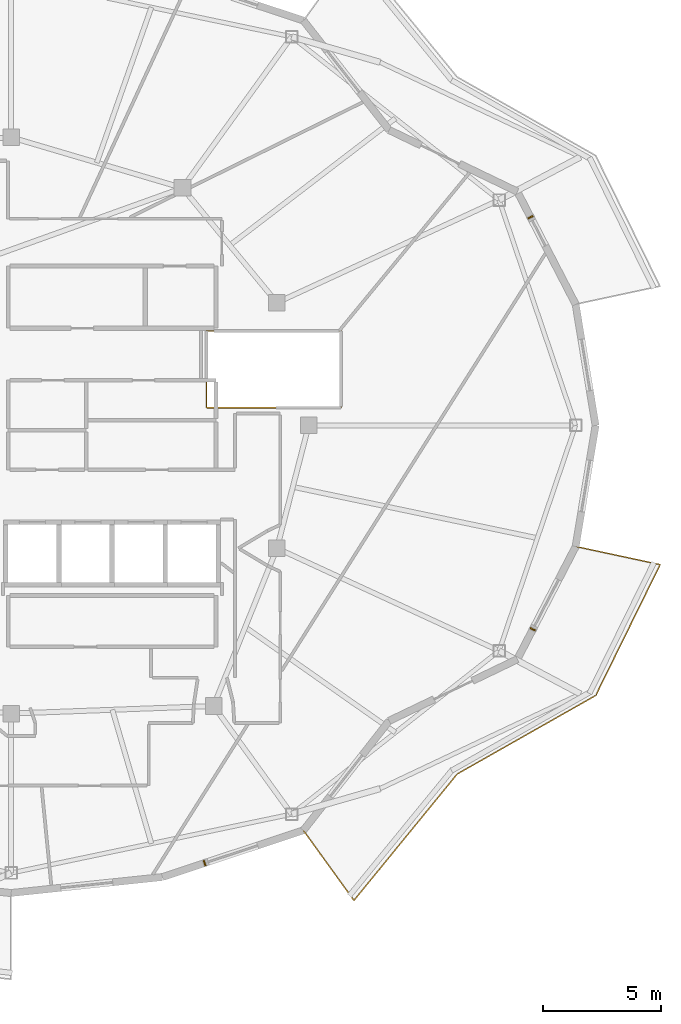
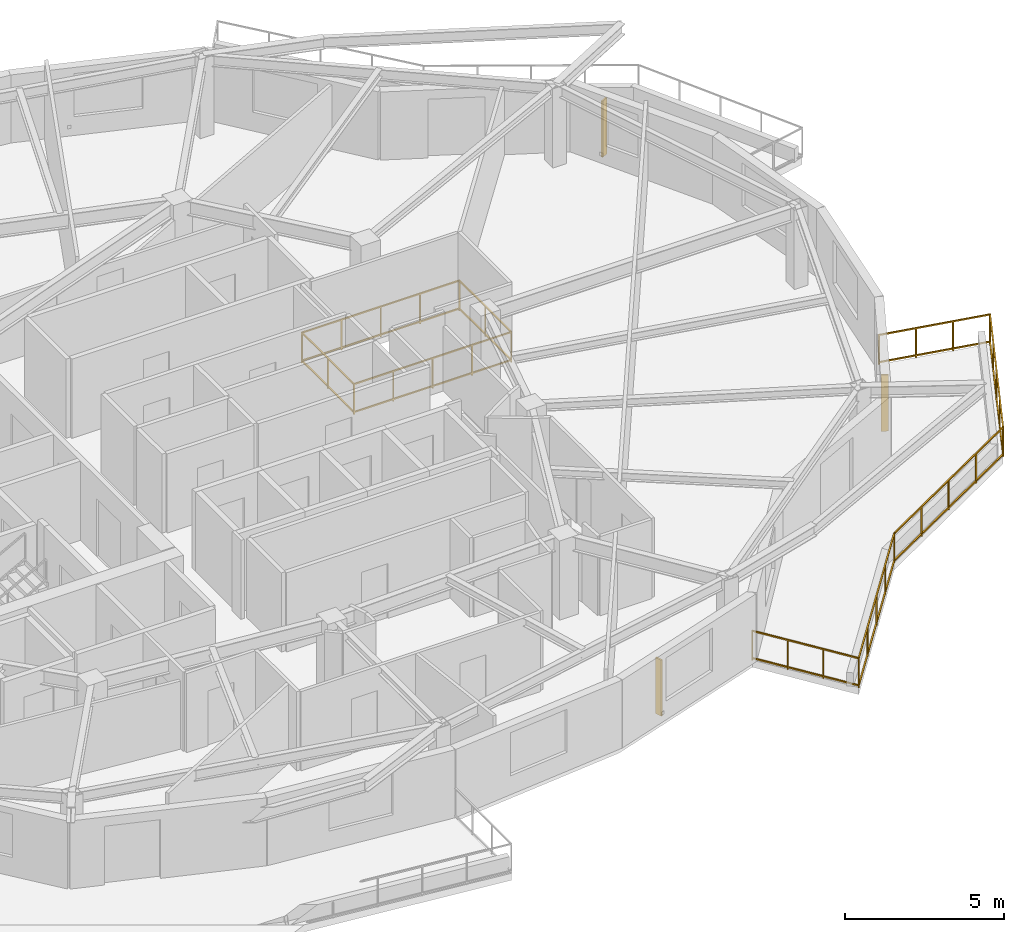
# One storey, part 9 of 10: 3 shading devices, 2 railings.
"""IFC4 building model written with IfcOpenShell, lengths in metres."""

from ifc_helpers import new_model, si_unit, direction, frame, origin, origin_2d, place, context, subcontext, project, spatial, rectangle, extrude, material, type_object, element, save


model = new_model("IFC4")

# Units and contexts
model_context = context("Model", 3, precision=1e-05, world=origin(), true_north=direction((0.0, 1.0)))
body_context = subcontext(model_context, "Body", "Model", "MODEL_VIEW")
ifc_project = project(units=[si_unit("LENGTHUNIT", "METRE"), si_unit("AREAUNIT", "SQUARE_METRE"), si_unit("VOLUMEUNIT", "CUBIC_METRE"), si_unit("PLANEANGLEUNIT", "RADIAN"), si_unit("MASSUNIT", "GRAM", prefix="KILO")], contexts=[model_context])

# Site, building, storey
site_placement = place(None, origin())
site = spatial("IfcSite", under=ifc_project, at=site_placement, CompositionType="ELEMENT")
building_placement = place(site_placement, origin())
building = spatial("IfcBuilding", under=site, at=building_placement, Name="Kolvaren Gate Tower and Convention Centre", CompositionType="ELEMENT")
storey_placement = place(building_placement, frame((0.0, 0.0, 203.0)))
storey = spatial("IfcBuildingStorey", under=building, at=storey_placement, Name="L53", CompositionType="ELEMENT", Elevation=203.0)

# Railings
ifc_material_1 = material(Name="Laminated Tempered Safety Glass Balustrade 21.5 mm", Category="glass")
railing_type_1 = type_object("IfcRailingType", Name="ARCH-RL-BALUST-1180", PredefinedType="BALUSTRADE", material=ifc_material_1)
railing_1_placement = place(storey_placement, frame((38.39990234375, 27.75, 0.0)))
element("IfcRailing", 1, at=railing_1_placement, inside=storey, type_object=railing_type_1, Name="Tower L53 Atrium Void Safety Balustrade", PredefinedType="BALUSTRADE", context=body_context, shape_type="SweptSolid", body=[
    extrude(rectangle(XDim=0.048095703125, YDim=0.048095703125, at=origin_2d()), frame((0.028076171875, 0.0, 1.15576171875), z_axis=(1.0, 0.0, 0.0), x_axis=(0.0, 1.0, 0.0)), (0.0, 0.0, 1.0), 5.64404296875),
    extrude(rectangle(XDim=0.048095703125, YDim=0.048095703125, at=origin_2d()), frame((0.028076171875, 0.0, 0.083984375), z_axis=(1.0, 0.0, 0.0), x_axis=(0.0, 1.0, 0.0)), (0.0, 0.0, 1.0), 5.64404296875),
    extrude(rectangle(XDim=0.048095703125, YDim=0.048095703125, at=origin_2d()), frame((5.7001953125, 0.028076171875, 1.15576171875), z_axis=(0.0, 1.0, 0.0), x_axis=(-1.0, 0.0, 0.0)), (0.0, 0.0, 1.0), 3.19384765625),
    extrude(rectangle(XDim=0.048095703125, YDim=0.048095703125, at=origin_2d()), frame((5.7001953125, 0.028076171875, 0.083984375), z_axis=(0.0, 1.0, 0.0), x_axis=(-1.0, 0.0, 0.0)), (0.0, 0.0, 1.0), 3.19384765625),
    extrude(rectangle(XDim=0.048095703125, YDim=0.048095703125, at=origin_2d()), frame((5.672119140625, 3.25, 1.15576171875), z_axis=(-1.0, 0.0, 0.0), x_axis=(0.0, -1.0, 0.0)), (0.0, 0.0, 1.0), 5.64404296875),
    extrude(rectangle(XDim=0.048095703125, YDim=0.048095703125, at=origin_2d()), frame((5.672119140625, 3.25, 0.083984375), z_axis=(-1.0, 0.0, 0.0), x_axis=(0.0, -1.0, 0.0)), (0.0, 0.0, 1.0), 5.64404296875),
    extrude(rectangle(XDim=0.048095703125, YDim=0.048095703125, at=origin_2d()), frame((0.0, 3.221923828125, 1.15576171875), z_axis=(0.0, -1.0, 0.0), x_axis=(1.0, 0.0, 0.0)), (0.0, 0.0, 1.0), 3.19384765625),
    extrude(rectangle(XDim=0.048095703125, YDim=0.048095703125, at=origin_2d()), frame((0.0, 3.221923828125, 0.083984375), z_axis=(0.0, -1.0, 0.0), x_axis=(1.0, 0.0, 0.0)), (0.0, 0.0, 1.0), 3.19384765625),
    extrude(rectangle(XDim=0.0419921875, YDim=0.0419921875, at=origin_2d()), origin(), (0.0, 0.0, 1.0), 1.179931640625),
    extrude(rectangle(XDim=0.0419921875, YDim=0.0419921875, at=origin_2d()), frame((5.7001953125, 0.0, 0.0)), (0.0, 0.0, 1.0), 1.179931640625),
    extrude(rectangle(XDim=0.0419921875, YDim=0.0419921875, at=origin_2d()), frame((1.425048828125, 0.0, 0.0)), (0.0, 0.0, 1.0), 1.1298828125),
    extrude(rectangle(XDim=0.0419921875, YDim=0.0419921875, at=origin_2d()), frame((2.85009765625, 0.0, 0.0)), (0.0, 0.0, 1.0), 1.1298828125),
    extrude(rectangle(XDim=0.0419921875, YDim=0.0419921875, at=origin_2d()), frame((4.275146484375, 0.0, 0.0)), (0.0, 0.0, 1.0), 1.1298828125),
    extrude(rectangle(XDim=0.0419921875, YDim=0.0419921875, at=origin_2d()), frame((5.7001953125, 3.25, 0.0)), (0.0, 0.0, 1.0), 1.179931640625),
    extrude(rectangle(XDim=0.0419921875, YDim=0.0419921875, at=origin_2d()), frame((5.7001953125, 1.625, 0.0)), (0.0, 0.0, 1.0), 1.1298828125),
    extrude(rectangle(XDim=0.0419921875, YDim=0.0419921875, at=origin_2d()), frame((0.0, 3.25, 0.0)), (0.0, 0.0, 1.0), 1.179931640625),
    extrude(rectangle(XDim=0.0419921875, YDim=0.0419921875, at=origin_2d()), frame((4.275146484375, 3.25, 0.0)), (0.0, 0.0, 1.0), 1.1298828125),
    extrude(rectangle(XDim=0.0419921875, YDim=0.0419921875, at=origin_2d()), frame((2.85009765625, 3.25, 0.0)), (0.0, 0.0, 1.0), 1.1298828125),
    extrude(rectangle(XDim=0.0419921875, YDim=0.0419921875, at=origin_2d()), frame((1.425048828125, 3.25, 0.0)), (0.0, 0.0, 1.0), 1.1298828125),
    extrude(rectangle(XDim=0.0419921875, YDim=0.0419921875, at=origin_2d()), frame((0.0, 1.625, 0.0)), (0.0, 0.0, 1.0), 1.1298828125),
])
ifc_material_2 = material(Name="Brushed Stainless Steel Grade 316L", Category="steel")
railing_type_2 = type_object("IfcRailingType", Name="ARCH-RL-GUARD-1150", PredefinedType="GUARDRAIL", material=ifc_material_2)
railing_2_placement = place(storey_placement, frame((42.5, 9.852783203125, 0.0)))
element("IfcRailing", 2, at=railing_2_placement, inside=storey, type_object=railing_type_2, Name="Tower L53 Terrace Perimeter Guardrail GR-4", PredefinedType="GUARDRAIL", context=body_context, shape_type="SweptSolid", body=[
    extrude(rectangle(XDim=0.048095703125, YDim=0.048095703125, at=origin_2d()), frame((0.016357421875, -0.022705078125, 1.1259765625), z_axis=(0.585212870465, -0.810879705161, 0.0), x_axis=(0.810879705161, 0.585212870465, 0.0)), (0.0, 0.0, 1.0), 3.603759765625),
    extrude(rectangle(XDim=0.048095703125, YDim=0.048095703125, at=origin_2d()), frame((0.016357421875, -0.022705078125, 0.083984375), z_axis=(0.585212870465, -0.810879705161, 0.0), x_axis=(0.810879705161, 0.585212870465, 0.0)), (0.0, 0.0, 1.0), 3.603759765625),
    extrude(rectangle(XDim=0.048095703125, YDim=0.048095703125, at=origin_2d()), frame((2.15966796875, -2.946044921875, 1.1259765625), z_axis=(0.632718487063, 0.77438189295, 0.0), x_axis=(-0.77438189295, 0.632718487063, 0.0)), (0.0, 0.0, 1.0), 6.858154296875),
    extrude(rectangle(XDim=0.048095703125, YDim=0.048095703125, at=origin_2d()), frame((2.15966796875, -2.946044921875, 0.083984375), z_axis=(0.632718487063, 0.77438189295, 0.0), x_axis=(-0.77438189295, 0.632718487063, 0.0)), (0.0, 0.0, 1.0), 6.858154296875),
    extrude(rectangle(XDim=0.048095703125, YDim=0.048095703125, at=origin_2d()), frame((6.541015625, 2.400390625, 1.1259765625), z_axis=(0.869876155964, 0.493270182846, 0.0), x_axis=(-0.493270182846, 0.869876155964, 0.0)), (0.0, 0.0, 1.0), 6.6865234375),
    extrude(rectangle(XDim=0.048095703125, YDim=0.048095703125, at=origin_2d()), frame((6.541015625, 2.400390625, 0.083984375), z_axis=(0.869876155964, 0.493270182846, 0.0), x_axis=(-0.493270182846, 0.869876155964, 0.0)), (0.0, 0.0, 1.0), 6.6865234375),
    extrude(rectangle(XDim=0.048095703125, YDim=0.048095703125, at=origin_2d()), frame((12.394287109375, 5.737548828125, 1.1259765625), z_axis=(0.441625304244, 0.897199582396, 0.0), x_axis=(-0.897199582396, 0.441625304244, 0.0)), (0.0, 0.0, 1.0), 6.122314453125),
    extrude(rectangle(XDim=0.048095703125, YDim=0.048095703125, at=origin_2d()), frame((12.394287109375, 5.737548828125, 0.083984375), z_axis=(0.441625304244, 0.897199582396, 0.0), x_axis=(-0.897199582396, 0.441625304244, 0.0)), (0.0, 0.0, 1.0), 6.122314453125),
    extrude(rectangle(XDim=0.048095703125, YDim=0.048095703125, at=origin_2d()), frame((15.0830078125, 11.261474609375, 1.1259765625), z_axis=(-0.977788745232, 0.209592866525, 0.0), x_axis=(-0.209592866525, -0.977788745232, 0.0)), (0.0, 0.0, 1.0), 3.603759765625),
    extrude(rectangle(XDim=0.048095703125, YDim=0.048095703125, at=origin_2d()), frame((15.0830078125, 11.261474609375, 0.083984375), z_axis=(-0.977788745232, 0.209592866525, 0.0), x_axis=(-0.209592866525, -0.977788745232, 0.0)), (0.0, 0.0, 1.0), 3.603759765625),
    extrude(rectangle(XDim=0.0419921875, YDim=0.0419921875, at=origin_2d()), origin(), (0.0, 0.0, 1.0), 1.14990234375),
    extrude(rectangle(XDim=0.0419921875, YDim=0.0419921875, at=origin_2d()), frame((2.141845703125, -2.9677734375, 0.0)), (0.0, 0.0, 1.0), 1.14990234375),
    extrude(rectangle(XDim=0.0419921875, YDim=0.0419921875, at=origin_2d()), frame((0.7138671875, -0.9892578125, 0.0)), (0.0, 0.0, 1.0), 1.099853515625),
    extrude(rectangle(XDim=0.0419921875, YDim=0.0419921875, at=origin_2d()), frame((1.427978515625, -1.978515625, 0.0)), (0.0, 0.0, 1.0), 1.099853515625),
    extrude(rectangle(XDim=0.0419921875, YDim=0.0419921875, at=origin_2d()), frame((6.5166015625, 2.386474609375, 0.0)), (0.0, 0.0, 1.0), 1.14990234375),
    extrude(rectangle(XDim=0.0419921875, YDim=0.0419921875, at=origin_2d()), frame((3.235595703125, -1.629150390625, 0.0)), (0.0, 0.0, 1.0), 1.099853515625),
    extrude(rectangle(XDim=0.0419921875, YDim=0.0419921875, at=origin_2d()), frame((4.3291015625, -0.29052734375, 0.0)), (0.0, 0.0, 1.0), 1.099853515625),
    extrude(rectangle(XDim=0.0419921875, YDim=0.0419921875, at=origin_2d()), frame((5.4228515625, 1.0478515625, 0.0)), (0.0, 0.0, 1.0), 1.099853515625),
    extrude(rectangle(XDim=0.0419921875, YDim=0.0419921875, at=origin_2d()), frame((12.3818359375, 5.71240234375, 0.0)), (0.0, 0.0, 1.0), 1.14990234375),
    extrude(rectangle(XDim=0.0419921875, YDim=0.0419921875, at=origin_2d()), frame((7.98291015625, 3.218017578125, 0.0)), (0.0, 0.0, 1.0), 1.099853515625),
    extrude(rectangle(XDim=0.0419921875, YDim=0.0419921875, at=origin_2d()), frame((9.44921875, 4.04931640625, 0.0)), (0.0, 0.0, 1.0), 1.099853515625),
    extrude(rectangle(XDim=0.0419921875, YDim=0.0419921875, at=origin_2d()), frame((10.91552734375, 4.880859375, 0.0)), (0.0, 0.0, 1.0), 1.099853515625),
    extrude(rectangle(XDim=0.0419921875, YDim=0.0419921875, at=origin_2d()), frame((15.1103515625, 11.255615234375, 0.0)), (0.0, 0.0, 1.0), 1.14990234375),
    extrude(rectangle(XDim=0.0419921875, YDim=0.0419921875, at=origin_2d()), frame((13.06396484375, 7.09814453125, 0.0)), (0.0, 0.0, 1.0), 1.099853515625),
    extrude(rectangle(XDim=0.0419921875, YDim=0.0419921875, at=origin_2d()), frame((13.74609375, 8.48388671875, 0.0)), (0.0, 0.0, 1.0), 1.099853515625),
    extrude(rectangle(XDim=0.0419921875, YDim=0.0419921875, at=origin_2d()), frame((14.42822265625, 9.869873046875, 0.0)), (0.0, 0.0, 1.0), 1.099853515625),
    extrude(rectangle(XDim=0.0419921875, YDim=0.0419921875, at=origin_2d()), frame((11.53173828125, 12.022705078125, 0.0)), (0.0, 0.0, 1.0), 1.14990234375),
    extrude(rectangle(XDim=0.0419921875, YDim=0.0419921875, at=origin_2d()), frame((13.91748046875, 11.51123046875, 0.0)), (0.0, 0.0, 1.0), 1.099853515625),
    extrude(rectangle(XDim=0.0419921875, YDim=0.0419921875, at=origin_2d()), frame((12.724609375, 11.76708984375, 0.0)), (0.0, 0.0, 1.0), 1.099853515625),
])

# Shading devices
ifc_material_3 = material(Name="Kiln-Fired Bogota Terracotta Ceramic Louvre Profile", Category="masonry")
shading_device_type = type_object("IfcShadingDeviceType", Name="ARCH-SHD-FIN-180", PredefinedType="JALOUSIE", material=ifc_material_3)
for number, where, z_axis, x_axis, name in (
    (3, (52.1201171875, 35.816650390625, 0.219970703125), (0.0, 0.0, 1.0), (0.459799959359, -0.888022520758, 0.0), "Ceramic Vertical Brise-Soleil Fin FN-L53-01"),
    (4, (38.319091796875, 8.46728515625, 0.219970703125), (0.0, 0.0, 1.0), (0.949241728595, 0.314547517385, 0.0), "Ceramic Vertical Brise-Soleil Fin FN-L53-19"),
    (5, (52.21630859375, 18.368896484375, 0.219970703125), (0.0, 0.0, 1.0), (0.459799959359, 0.888022520758, 0.0), "Ceramic Vertical Brise-Soleil Fin FN-L53-22"),
):
    element("IfcShadingDevice", number, at=place(storey_placement, frame(where, z_axis=z_axis, x_axis=x_axis)), inside=storey, type_object=shading_device_type, Name=name, PredefinedType="JALOUSIE", context=body_context, shape_type="SweptSolid", body=[
        extrude(rectangle(XDim=0.06005859375, YDim=0.239990234375, at=origin_2d()), origin(), (0.0, 0.0, 1.0), 2.14990234375),
    ])

save(model, "model.ifc")
